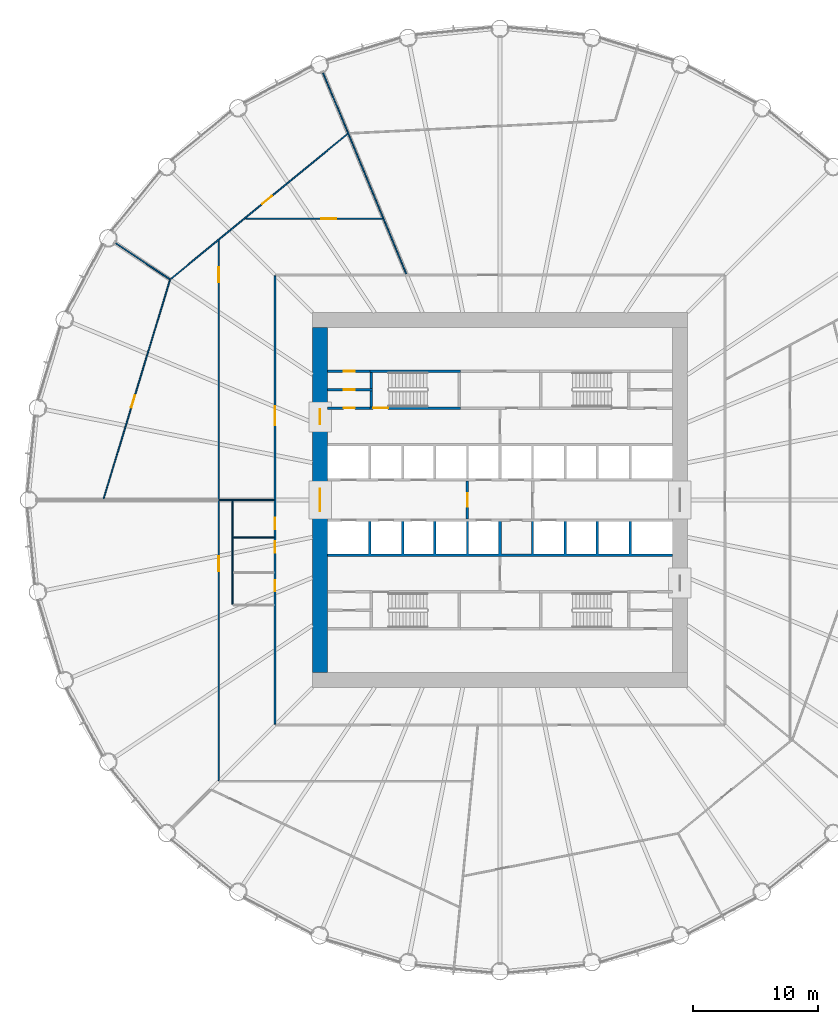
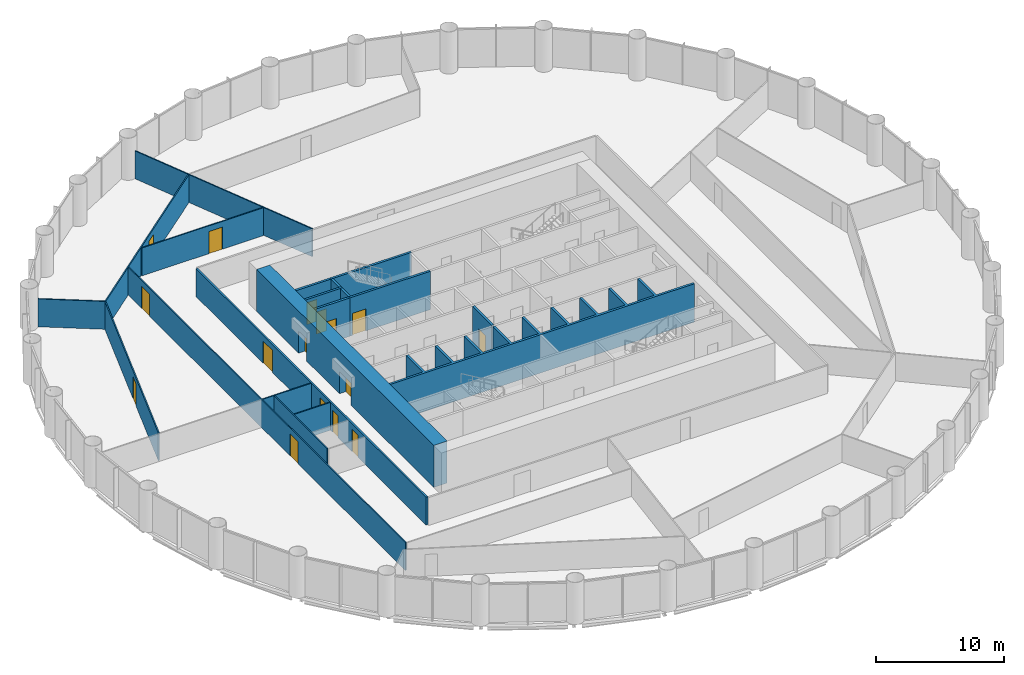
# One storey, part 11 of 14: 20 walls, 16 doors, 16 openings.
"""IFC4 building model written with IfcOpenShell, lengths in metres."""

from ifc_helpers import new_model, si_unit, direction, frame, frame_2d, origin, place, context, subcontext, project, spatial, polyline, rectangle, outline, extrude, material, layer, layer_set, type_object, element, fill, save


model = new_model("IFC4")

# Units and contexts
model_context = context("Model", 3, precision=1e-05, world=origin(), true_north=direction((0.0, 1.0)))
body_context = subcontext(model_context, "Body", "Model", "MODEL_VIEW")
ifc_project = project(units=[si_unit("LENGTHUNIT", "METRE"), si_unit("AREAUNIT", "SQUARE_METRE"), si_unit("VOLUMEUNIT", "CUBIC_METRE"), si_unit("PLANEANGLEUNIT", "RADIAN"), si_unit("MASSUNIT", "GRAM", prefix="KILO")], contexts=[model_context])

# Site, building, storey
site_placement = place(None, origin())
site = spatial("IfcSite", under=ifc_project, at=site_placement, CompositionType="ELEMENT")
building_placement = place(site_placement, origin())
building = spatial("IfcBuilding", under=site, at=building_placement, Name="Corvane Civic Tower", CompositionType="ELEMENT")
storey_placement = place(building_placement, frame((0.0, 0.0, 81.0)))
storey = spatial("IfcBuildingStorey", under=building, at=storey_placement, Name="L18", CompositionType="ELEMENT", Elevation=81.0)

# Wall, openings, doors
ifc_material_1 = material(Name="Concrete C80/95", Category="concrete")
ifc_layer_1 = layer(ifc_material_1, 1.199951171875)
ifc_layer_set_1 = layer_set([ifc_layer_1], Name="Concrete C80/95")
wall_type_1 = type_object("IfcWallType", Name="CORE WALL 1200 C80/95", PredefinedType="SHEAR", material=ifc_layer_set_1)
wall_1_placement = place(storey_placement, frame((-14.39990234375, -13.800048828125, 0.0), z_axis=(0.0, 0.0, 1.0), x_axis=(0.0, 1.0, 0.0)))
wall_1 = element("IfcWall", 1, at=wall_1_placement, inside=storey, type_object=wall_type_1, Name="W-L18-core-W", PredefinedType="SHEAR", context=body_context, shape_type="SweptSolid", body=[
    extrude(rectangle(XDim=27.60009765625, YDim=1.199951171875, at=frame_2d((13.800048828125, 0.0))), origin(), (0.0, 0.0, 1.0), 4.0),
])
opening_1_placement = place(wall_1_placement, frame((12.89990234375, 0.0, 0.0)))
opening_1 = element("IfcOpeningElement", 2, at=opening_1_placement, cuts=wall_1, Name="Opening L18.C24", PredefinedType="OPENING", context=body_context, shape_type="SweptSolid", body=[
    extrude(rectangle(XDim=1.800048828125, YDim=2.10009765625, at=frame_2d((0.89990234375, 1.050048828125))), frame((0.0, 0.60986328125, 0.0), z_axis=(0.0, -1.0, 0.0), x_axis=(1.0, 0.0, 0.0)), (0.0, 0.0, 1.0), 1.219970703125),
])
opening_2_placement = place(wall_1_placement, frame((19.85009765625, 0.0, 0.0)))
opening_2 = element("IfcOpeningElement", 3, at=opening_2_placement, cuts=wall_1, Name="Opening L18.C26", PredefinedType="OPENING", context=body_context, shape_type="SweptSolid", body=[
    extrude(rectangle(XDim=1.199951171875, YDim=2.10009765625, at=frame_2d((0.60009765625, 1.050048828125))), frame((0.0, 0.60986328125, 0.0), z_axis=(0.0, -1.0, 0.0), x_axis=(1.0, 0.0, 0.0)), (0.0, 0.0, 1.0), 1.219970703125),
])
ifc_material_2 = material(Name="Steel fire door leaf", Category="steel")
door_type_1 = type_object("IfcDoorType", Name="CR-DOOR-CORE-1800", OperationType="DOUBLE_DOOR_SINGLE_SWING", PredefinedType="DOOR", material=ifc_material_2)
door_1_placement = place(opening_1_placement, origin())
door_1 = element("IfcDoor", 4, at=door_1_placement, inside=storey, type_object=door_type_1, Name="L18 door", OperationType="DOUBLE_DOOR_SINGLE_SWING", OverallHeight=2.10009765625, OverallWidth=1.800048828125, PredefinedType="DOOR", context=body_context, shape_type="SweptSolid", body=[
    extrude(rectangle(XDim=1.800048828125, YDim=2.10009765625, at=frame_2d((0.89990234375, 1.050048828125))), frame((0.0, 0.02490234375, 0.0), z_axis=(0.0, -1.0, 0.0), x_axis=(1.0, 0.0, 0.0)), (0.0, 0.0, 1.0), 0.050048828125),
])
fill(opening_1, door_1)
door_2_placement = place(opening_2_placement, origin())
door_2 = element("IfcDoor", 5, at=door_2_placement, inside=storey, type_object=door_type_1, Name="L18 door", OperationType="DOUBLE_DOOR_SINGLE_SWING", OverallHeight=2.10009765625, OverallWidth=1.199951171875, PredefinedType="DOOR", context=body_context, shape_type="SweptSolid", body=[
    extrude(rectangle(XDim=1.199951171875, YDim=2.10009765625, at=frame_2d((0.60009765625, 1.050048828125))), frame((0.0, 0.02490234375, 0.0), z_axis=(0.0, -1.0, 0.0), x_axis=(1.0, 0.0, 0.0)), (0.0, 0.0, 1.0), 0.050048828125),
])
fill(opening_2, door_2)

# Wall, opening, door
ifc_material_3 = material(Name="Concrete C30/37", Category="concrete")
ifc_layer_2 = layer(ifc_material_3, 0.199951171875)
ifc_layer_set_2 = layer_set([ifc_layer_2], Name="Concrete C30/37")
wall_type_2 = type_object("IfcWallType", Name="CR-WALL-200", PredefinedType="PARTITIONING", material=ifc_layer_set_2)
wall_2_placement = place(storey_placement, frame((-13.800048828125, 7.35009765625, 0.0), z_axis=(0.0, 0.0, 1.0), x_axis=(1.0, 0.0, 0.0)))
wall_2 = element("IfcWall", 6, at=wall_2_placement, inside=storey, type_object=wall_type_2, Name="L18 core partition wall", PredefinedType="PARTITIONING", context=body_context, shape_type="SweptSolid", body=[
    extrude(rectangle(XDim=3.400146484375, YDim=0.199951171875, at=frame_2d((1.7001953125, 0.0))), origin(), (0.0, 0.0, 1.0), 3.64990234375),
])
opening_3_placement = place(wall_2_placement, frame((1.300048828125, 0.0, 0.0)))
opening_3 = element("IfcOpeningElement", 7, at=opening_3_placement, cuts=wall_2, Name="Opening L18.C06", PredefinedType="OPENING", context=body_context, shape_type="SweptSolid", body=[
    extrude(rectangle(XDim=0.89990234375, YDim=2.10009765625, at=frame_2d((0.449951171875, 1.050048828125))), frame((0.0, 0.10986328125, 0.0), z_axis=(0.0, -1.0, 0.0), x_axis=(1.0, 0.0, 0.0)), (0.0, 0.0, 1.0), 0.219970703125),
])
ifc_material_4 = material(Name="Steel fire door leaf", Category="steel")
door_type_2 = type_object("IfcDoorType", Name="CR-DOOR-900", OperationType="SINGLE_SWING_LEFT", PredefinedType="DOOR", material=ifc_material_4)
door_3_placement = place(opening_3_placement, origin())
door_3 = element("IfcDoor", 8, at=door_3_placement, inside=storey, type_object=door_type_2, Name="L18 door", OperationType="SINGLE_SWING_LEFT", OverallHeight=2.10009765625, OverallWidth=0.89990234375, PredefinedType="DOOR", context=body_context, shape_type="SweptSolid", body=[
    extrude(rectangle(XDim=0.89990234375, YDim=2.10009765625, at=frame_2d((0.449951171875, 1.050048828125))), frame((0.0, 0.02490234375, 0.0), z_axis=(0.0, -1.0, 0.0), x_axis=(1.0, 0.0, 0.0)), (0.0, 0.0, 1.0), 0.050048828125),
])
fill(opening_3, door_3)

wall_3_placement = place(storey_placement, frame((-13.800048828125, 8.824951171875, 0.0), z_axis=(0.0, 0.0, 1.0), x_axis=(1.0, 0.0, 0.0)))
wall_3 = element("IfcWall", 9, at=wall_3_placement, inside=storey, type_object=wall_type_2, Name="L18 partition wall", PredefinedType="PARTITIONING", context=body_context, shape_type="SweptSolid", body=[
    extrude(rectangle(XDim=3.60009765625, YDim=0.199951171875, at=frame_2d((1.800048828125, 0.0))), origin(), (0.0, 0.0, 1.0), 3.64990234375),
])
opening_4_placement = place(wall_3_placement, frame((1.300048828125, 0.0, 0.0)))
opening_4 = element("IfcOpeningElement", 10, at=opening_4_placement, cuts=wall_3, Name="Opening L18.C07", PredefinedType="OPENING", context=body_context, shape_type="SweptSolid", body=[
    extrude(rectangle(XDim=0.89990234375, YDim=2.10009765625, at=frame_2d((0.449951171875, 1.050048828125))), frame((0.0, 0.10986328125, 0.0), z_axis=(0.0, -1.0, 0.0), x_axis=(1.0, 0.0, 0.0)), (0.0, 0.0, 1.0), 0.219970703125),
])
door_4_placement = place(opening_4_placement, origin())
door_4 = element("IfcDoor", 11, at=door_4_placement, inside=storey, type_object=door_type_2, Name="L18 door", OperationType="SINGLE_SWING_LEFT", OverallHeight=2.10009765625, OverallWidth=0.89990234375, PredefinedType="DOOR", context=body_context, shape_type="SweptSolid", body=[
    extrude(rectangle(XDim=0.89990234375, YDim=2.10009765625, at=frame_2d((0.449951171875, 1.050048828125))), frame((0.0, 0.02490234375, 0.0), z_axis=(0.0, -1.0, 0.0), x_axis=(1.0, 0.0, 0.0)), (0.0, 0.0, 1.0), 0.050048828125),
])
fill(opening_4, door_4)

wall_4_placement = place(storey_placement, frame((-13.800048828125, 10.300048828125, 0.0), z_axis=(0.0, 0.0, 1.0), x_axis=(1.0, 0.0, 0.0)))
wall_4 = element("IfcWall", 12, at=wall_4_placement, inside=storey, type_object=wall_type_2, Name="L18 partition wall", PredefinedType="PARTITIONING", context=body_context, shape_type="SweptSolid", body=[
    extrude(rectangle(XDim=3.400146484375, YDim=0.199951171875, at=frame_2d((1.7001953125, 0.0))), origin(), (0.0, 0.0, 1.0), 3.64990234375),
])
opening_5_placement = place(wall_4_placement, frame((1.300048828125, 0.0, 0.0)))
opening_5 = element("IfcOpeningElement", 13, at=opening_5_placement, cuts=wall_4, Name="Opening L18.C08", PredefinedType="OPENING", context=body_context, shape_type="SweptSolid", body=[
    extrude(rectangle(XDim=0.89990234375, YDim=2.10009765625, at=frame_2d((0.449951171875, 1.050048828125))), frame((0.0, 0.10986328125, 0.0), z_axis=(0.0, -1.0, 0.0), x_axis=(1.0, 0.0, 0.0)), (0.0, 0.0, 1.0), 0.219970703125),
])
door_5_placement = place(opening_5_placement, origin())
door_5 = element("IfcDoor", 14, at=door_5_placement, inside=storey, type_object=door_type_2, Name="L18 door", OperationType="SINGLE_SWING_LEFT", OverallHeight=2.10009765625, OverallWidth=0.89990234375, PredefinedType="DOOR", context=body_context, shape_type="SweptSolid", body=[
    extrude(rectangle(XDim=0.89990234375, YDim=2.10009765625, at=frame_2d((0.449951171875, 1.050048828125))), frame((0.0, 0.02490234375, 0.0), z_axis=(0.0, -1.0, 0.0), x_axis=(1.0, 0.0, 0.0)), (0.0, 0.0, 1.0), 0.050048828125),
])
fill(opening_5, door_5)

wall_5_placement = place(storey_placement, frame((-2.60009765625, -1.5, 0.0), z_axis=(0.0, 0.0, 1.0), x_axis=(0.0, 1.0, 0.0)))
wall_5 = element("IfcWall", 15, at=wall_5_placement, inside=storey, type_object=wall_type_2, Name="L18 firefighting lobby wall", PredefinedType="PARTITIONING", context=body_context, shape_type="SweptSolid", body=[
    extrude(rectangle(XDim=3.0, YDim=0.199951171875, at=frame_2d((1.5, 0.0))), origin(), (0.0, 0.0, 1.0), 3.64990234375),
])
opening_6_placement = place(wall_5_placement, frame((0.949951171875, 0.0, 0.0)))
opening_6 = element("IfcOpeningElement", 16, at=opening_6_placement, cuts=wall_5, Name="Opening L18.C20", PredefinedType="OPENING", context=body_context, shape_type="SweptSolid", body=[
    extrude(rectangle(XDim=1.10009765625, YDim=2.10009765625, at=frame_2d((0.550048828125, 1.050048828125))), frame((0.0, 0.10986328125, 0.0), z_axis=(0.0, -1.0, 0.0), x_axis=(1.0, 0.0, 0.0)), (0.0, 0.0, 1.0), 0.219970703125),
])
ifc_material_5 = material(Name="Steel fire door leaf", Category="steel")
door_type_3 = type_object("IfcDoorType", Name="CR-DOOR-FFL-1100", OperationType="SINGLE_SWING_LEFT", PredefinedType="DOOR", material=ifc_material_5)
door_6_placement = place(opening_6_placement, origin())
door_6 = element("IfcDoor", 17, at=door_6_placement, inside=storey, type_object=door_type_3, Name="L18 lobby door", OperationType="SINGLE_SWING_LEFT", OverallHeight=2.10009765625, OverallWidth=1.10009765625, PredefinedType="DOOR", context=body_context, shape_type="SweptSolid", body=[
    extrude(rectangle(XDim=1.10009765625, YDim=2.10009765625, at=frame_2d((0.550048828125, 1.050048828125))), frame((0.0, 0.02490234375, 0.0), z_axis=(0.0, -1.0, 0.0), x_axis=(1.0, 0.0, 0.0)), (0.0, 0.0, 1.0), 0.050048828125),
])
fill(opening_6, door_6)

# Wall
wall_6_placement = place(storey_placement, origin())
element("IfcWall", 18, at=wall_6_placement, inside=storey, type_object=wall_type_2, Name="L18 core partition wall", PredefinedType="PARTITIONING", context=body_context, shape_type="SweptSolid", body=[
    extrude(outline(polyline([(-10.5, -1.699951171875), (-10.300048828125, -1.699951171875), (-10.300048828125, -4.300048828125), (-7.89990234375, -4.300048828125), (-7.89990234375, -1.699951171875), (-7.699951171875, -1.699951171875), (-7.699951171875, -4.300048828125), (-5.300048828125, -4.300048828125), (-5.300048828125, -1.699951171875), (-5.10009765625, -1.699951171875), (-5.10009765625, -4.300048828125), (-2.699951171875, -4.300048828125), (-2.699951171875, -1.699951171875), (-2.5, -1.699951171875), (-2.5, -4.300048828125), (-0.10009765625, -4.300048828125), (-0.10009765625, -1.699951171875), (0.10009765625, -1.699951171875), (0.10009765625, -4.300048828125), (2.5, -4.300048828125), (2.5, -1.699951171875), (2.699951171875, -1.699951171875), (2.699951171875, -4.300048828125), (5.10009765625, -4.300048828125), (5.10009765625, -1.699951171875), (5.300048828125, -1.699951171875), (5.300048828125, -4.300048828125), (7.699951171875, -4.300048828125), (7.699951171875, -1.699951171875), (7.89990234375, -1.699951171875), (7.89990234375, -4.300048828125), (10.300048828125, -4.300048828125), (10.300048828125, -1.699951171875), (10.5, -1.699951171875), (10.5, -4.300048828125), (13.800048828125, -4.300048828125), (13.800048828125, -4.5), (-13.800048828125, -4.5), (-13.800048828125, -4.300048828125), (-10.5, -4.300048828125), (-10.5, -1.699951171875)])), origin(), (0.0, 0.0, 1.0), 3.64990234375),
])

# Wall, openings, doors
ifc_material_6 = material(Name="Plasterboard")
ifc_layer_3 = layer(ifc_material_6, 0.10009765625)
ifc_layer_set_3 = layer_set([ifc_layer_3], Name="Plasterboard")
wall_type_3 = type_object("IfcWallType", Name="Partition 100 plasterboard on studs", PredefinedType="PARTITIONING", material=ifc_layer_set_3)
wall_7_placement = place(storey_placement, frame((-22.5, -22.449951171875, 0.0), z_axis=(0.0, 0.0, 1.0), x_axis=(0.0, 1.0, 0.0)))
wall_7 = element("IfcWall", 19, at=wall_7_placement, inside=storey, type_object=wall_type_3, Name="Partition L18.009", PredefinedType="PARTITIONING", context=body_context, shape_type="SweptSolid", body=[
    extrude(rectangle(XDim=43.174560546875, YDim=0.10009765625, at=frame_2d((21.58740234375, 0.0))), origin(), (0.0, 0.0, 1.0), 2.64990234375),
])
opening_7_placement = place(wall_7_placement, frame((16.747802734375, 0.0, 0.0)))
opening_7 = element("IfcOpeningElement", 20, at=opening_7_placement, cuts=wall_7, Name="Opening L18.011", PredefinedType="OPENING", context=body_context, shape_type="SweptSolid", body=[
    extrude(rectangle(XDim=1.199951171875, YDim=2.10009765625, at=frame_2d((0.60009765625, 1.050048828125))), frame((0.0, 0.06005859375, 0.0), z_axis=(0.0, -1.0, 0.0), x_axis=(1.0, 0.0, 0.0)), (0.0, 0.0, 1.0), 0.1201171875),
])
opening_8_placement = place(wall_7_placement, frame((39.877197265625, 0.0, 0.0)))
opening_8 = element("IfcOpeningElement", 21, at=opening_8_placement, cuts=wall_7, Name="Opening L18.018", PredefinedType="OPENING", context=body_context, shape_type="SweptSolid", body=[
    extrude(rectangle(XDim=1.199951171875, YDim=2.10009765625, at=frame_2d((0.60009765625, 1.050048828125))), frame((0.0, 0.06005859375, 0.0), z_axis=(0.0, -1.0, 0.0), x_axis=(1.0, 0.0, 0.0)), (0.0, 0.0, 1.0), 0.1201171875),
])
ifc_material_7 = material(Name="Timber", Category="wood")
door_type_4 = type_object("IfcDoorType", Name="Double door 1200", OperationType="NOTDEFINED", PredefinedType="DOOR", material=ifc_material_7)
door_7_placement = place(opening_7_placement, origin())
door_7 = element("IfcDoor", 22, at=door_7_placement, inside=storey, type_object=door_type_4, Name="Door L18.011", OperationType="DOUBLE_DOOR_SINGLE_SWING", OverallHeight=2.10009765625, OverallWidth=1.199951171875, PredefinedType="DOOR", context=body_context, shape_type="SweptSolid", body=[
    extrude(rectangle(XDim=1.199951171875, YDim=2.10009765625, at=frame_2d((0.60009765625, 1.050048828125))), frame((0.0, 0.02490234375, 0.0), z_axis=(0.0, -1.0, 0.0), x_axis=(1.0, 0.0, 0.0)), (0.0, 0.0, 1.0), 0.050048828125),
])
fill(opening_7, door_7)
door_8_placement = place(opening_8_placement, origin())
door_8 = element("IfcDoor", 23, at=door_8_placement, inside=storey, type_object=door_type_4, Name="Door L18.018", OperationType="DOUBLE_DOOR_SINGLE_SWING", OverallHeight=2.10009765625, OverallWidth=1.199951171875, PredefinedType="DOOR", context=body_context, shape_type="SweptSolid", body=[
    extrude(rectangle(XDim=1.199951171875, YDim=2.10009765625, at=frame_2d((0.60009765625, 1.050048828125))), frame((0.0, 0.02490234375, 0.0), z_axis=(0.0, -1.0, 0.0), x_axis=(1.0, 0.0, 0.0)), (0.0, 0.0, 1.0), 0.050048828125),
])
fill(opening_8, door_8)

# Walls
wall_8_placement = place(storey_placement, frame((-21.39990234375, -8.35009765625, 0.0), z_axis=(0.0, 0.0, 1.0), x_axis=(0.0, 1.0, 0.0)))
element("IfcWall", 24, at=wall_8_placement, inside=storey, type_object=wall_type_3, Name="Partition L18.017", PredefinedType="PARTITIONING", context=body_context, shape_type="SweptSolid", body=[
    extrude(rectangle(XDim=8.300048828125, YDim=0.10009765625, at=frame_2d((4.14990234375, 0.0))), origin(), (0.0, 0.0, 1.0), 2.64990234375),
])
wall_9_placement = place(storey_placement, frame((-21.35009765625, -3.0, 0.0), z_axis=(0.0, 0.0, 1.0), x_axis=(1.0, 0.0, 0.0)))
element("IfcWall", 25, at=wall_9_placement, inside=storey, type_object=wall_type_3, Name="Partition L18.019", PredefinedType="PARTITIONING", context=body_context, shape_type="SweptSolid", body=[
    extrude(rectangle(XDim=3.275146484375, YDim=0.10009765625, at=frame_2d((1.6376953125, 0.0))), origin(), (0.0, 0.0, 1.0), 2.64990234375),
])
wall_10_placement = place(storey_placement, frame((-22.449951171875, 0.0, 0.0), z_axis=(0.0, 0.0, 1.0), x_axis=(1.0, 0.0, 0.0)))
element("IfcWall", 26, at=wall_10_placement, inside=storey, type_object=wall_type_3, Name="Partition L18.021", PredefinedType="PARTITIONING", context=body_context, shape_type="SweptSolid", body=[
    extrude(rectangle(XDim=4.375, YDim=0.10009765625, at=frame_2d((2.1875, 0.0))), origin(), (0.0, 0.0, 1.0), 2.64990234375),
])

# Wall, opening, door
wall_11_placement = place(storey_placement, frame((-31.72314453125, 0.064453125, 0.0), z_axis=(0.0, 0.0, 1.0), x_axis=(0.290286195609, 0.956939875143, 0.0)))
wall_11 = element("IfcWall", 27, at=wall_11_placement, inside=storey, type_object=wall_type_3, Name="Partition L18.024", PredefinedType="PARTITIONING", context=body_context, shape_type="SweptSolid", body=[
    extrude(rectangle(XDim=18.324462890625, YDim=0.10009765625, at=frame_2d((9.162109375, 0.0))), origin(), (0.0, 0.0, 1.0), 2.64990234375),
])
opening_9_placement = place(wall_11_placement, frame((7.6708984375, 0.0, 0.0)))
opening_9 = element("IfcOpeningElement", 28, at=opening_9_placement, cuts=wall_11, Name="Opening L18.016", PredefinedType="OPENING", context=body_context, shape_type="SweptSolid", body=[
    extrude(rectangle(XDim=1.0, YDim=2.10009765625, at=frame_2d((0.5, 1.050048828125))), frame((0.0, 0.06005859375, 0.0), z_axis=(0.0, -1.0, 0.0), x_axis=(1.0, 0.0, 0.0)), (0.0, 0.0, 1.0), 0.1201171875),
])
ifc_material_8 = material(Name="Timber", Category="wood")
door_type_5 = type_object("IfcDoorType", Name="Single door 1000", OperationType="NOTDEFINED", PredefinedType="DOOR", material=ifc_material_8)
door_9_placement = place(opening_9_placement, origin())
door_9 = element("IfcDoor", 29, at=door_9_placement, inside=storey, type_object=door_type_5, Name="Door L18.016", OperationType="SINGLE_SWING_LEFT", OverallHeight=2.10009765625, OverallWidth=1.0, PredefinedType="DOOR", context=body_context, shape_type="SweptSolid", body=[
    extrude(rectangle(XDim=1.0, YDim=2.10009765625, at=frame_2d((0.5, 1.050048828125))), frame((0.0, 0.02490234375, 0.0), z_axis=(0.0, -1.0, 0.0), x_axis=(1.0, 0.0, 0.0)), (0.0, 0.0, 1.0), 0.050048828125),
])
fill(opening_9, door_9)

# Wall
wall_12_placement = place(storey_placement, frame((-30.756103515625, 20.550537109375, 0.0), z_axis=(0.0, 0.0, 1.0), x_axis=(0.831487576011, -0.555543347489, 0.0)))
element("IfcWall", 30, at=wall_12_placement, inside=storey, type_object=wall_type_3, Name="Partition L18.026", PredefinedType="PARTITIONING", context=body_context, shape_type="SweptSolid", body=[
    extrude(rectangle(XDim=5.210205078125, YDim=0.10009765625, at=frame_2d((2.60498046875, 0.0))), origin(), (0.0, 0.0, 1.0), 2.64990234375),
])

# Wall, opening, door
wall_13_placement = place(storey_placement, frame((-26.364501953125, 17.65869140625, 0.0), z_axis=(0.0, 0.0, 1.0), x_axis=(0.773009038475, 0.634395008205, 0.0)))
wall_13 = element("IfcWall", 31, at=wall_13_placement, inside=storey, type_object=wall_type_3, Name="Partition L18.027", PredefinedType="PARTITIONING", context=body_context, shape_type="SweptSolid", body=[
    extrude(rectangle(XDim=18.324462890625, YDim=0.10009765625, at=frame_2d((9.162109375, 0.0))), origin(), (0.0, 0.0, 1.0), 2.64990234375),
])
opening_10_placement = place(wall_13_placement, frame((9.49755859375, 0.0, 0.0)))
opening_10 = element("IfcOpeningElement", 32, at=opening_10_placement, cuts=wall_13, Name="Opening L18.017", PredefinedType="OPENING", context=body_context, shape_type="SweptSolid", body=[
    extrude(rectangle(XDim=1.0, YDim=2.10009765625, at=frame_2d((0.5, 1.050048828125))), frame((0.0, 0.06005859375, 0.0), z_axis=(0.0, -1.0, 0.0), x_axis=(1.0, 0.0, 0.0)), (0.0, 0.0, 1.0), 0.1201171875),
])
door_10_placement = place(opening_10_placement, origin())
door_10 = element("IfcDoor", 33, at=door_10_placement, inside=storey, type_object=door_type_5, Name="Door L18.017", OperationType="SINGLE_SWING_LEFT", OverallHeight=2.10009765625, OverallWidth=1.0, PredefinedType="DOOR", context=body_context, shape_type="SweptSolid", body=[
    extrude(rectangle(XDim=1.0, YDim=2.10009765625, at=frame_2d((0.5, 1.050048828125))), frame((0.0, 0.02490234375, 0.0), z_axis=(0.0, -1.0, 0.0), x_axis=(1.0, 0.0, 0.0)), (0.0, 0.0, 1.0), 0.050048828125),
])
fill(opening_10, door_10)

# Wall
wall_14_placement = place(storey_placement, frame((-14.155517578125, 34.17431640625, 0.0), z_axis=(0.0, 0.0, 1.0), x_axis=(0.38268132175, -0.923880406754, 0.0)))
element("IfcWall", 34, at=wall_14_placement, inside=storey, type_object=wall_type_3, Name="Partition L18.029", PredefinedType="PARTITIONING", context=body_context, shape_type="SweptSolid", body=[
    extrude(rectangle(XDim=17.4052734375, YDim=0.10009765625, at=frame_2d((8.70263671875, 0.0))), origin(), (0.0, 0.0, 1.0), 2.64990234375),
])

# Wall, opening, door
wall_15_placement = place(storey_placement, frame((-20.32568359375, 22.5, 0.0), z_axis=(0.0, 0.0, 1.0), x_axis=(1.0, 0.0, 0.0)))
wall_15 = element("IfcWall", 35, at=wall_15_placement, inside=storey, type_object=wall_type_3, Name="Partition L18.030", PredefinedType="PARTITIONING", context=body_context, shape_type="SweptSolid", body=[
    extrude(rectangle(XDim=10.93115234375, YDim=0.10009765625, at=frame_2d((5.465576171875, 0.0))), origin(), (0.0, 0.0, 1.0), 2.64990234375),
])
opening_11_placement = place(wall_15_placement, frame((6.038818359375, 0.0, 0.0)))
opening_11 = element("IfcOpeningElement", 36, at=opening_11_placement, cuts=wall_15, Name="Opening L18.019", PredefinedType="OPENING", context=body_context, shape_type="SweptSolid", body=[
    extrude(rectangle(XDim=1.199951171875, YDim=2.10009765625, at=frame_2d((0.60009765625, 1.050048828125))), frame((0.0, 0.06005859375, 0.0), z_axis=(0.0, -1.0, 0.0), x_axis=(1.0, 0.0, 0.0)), (0.0, 0.0, 1.0), 0.1201171875),
])
door_11_placement = place(opening_11_placement, origin())
door_11 = element("IfcDoor", 37, at=door_11_placement, inside=storey, type_object=door_type_4, Name="Door L18.019", OperationType="DOUBLE_DOOR_SINGLE_SWING", OverallHeight=2.10009765625, OverallWidth=1.199951171875, PredefinedType="DOOR", context=body_context, shape_type="SweptSolid", body=[
    extrude(rectangle(XDim=1.199951171875, YDim=2.10009765625, at=frame_2d((0.60009765625, 1.050048828125))), frame((0.0, 0.02490234375, 0.0), z_axis=(0.0, -1.0, 0.0), x_axis=(1.0, 0.0, 0.0)), (0.0, 0.0, 1.0), 0.050048828125),
])
fill(opening_11, door_11)

ifc_material_9 = material(Name="Concrete C50/60", Category="concrete")
ifc_layer_4 = layer(ifc_material_9, 0.199951171875)
ifc_layer_set_4 = layer_set([ifc_layer_4], Name="Concrete C50/60")
wall_type_4 = type_object("IfcWallType", Name="ST-WALL-200", PredefinedType="SHEAR", material=ifc_layer_set_4)
wall_16_placement = place(storey_placement, frame((-10.39990234375, 7.35009765625, 0.0), z_axis=(0.0, 0.0, 1.0), x_axis=(1.0, 0.0, 0.0)))
wall_16 = element("IfcWall", 38, at=wall_16_placement, inside=storey, type_object=wall_type_4, Name="L18 stair enclosure wall", PredefinedType="SHEAR", context=body_context, shape_type="SweptSolid", body=[
    extrude(rectangle(XDim=7.25, YDim=0.199951171875, at=frame_2d((3.625, 0.0))), origin(), (0.0, 0.0, 1.0), 3.64990234375),
])
opening_12_placement = place(wall_16_placement, frame((0.25, 0.0, 0.0)))
opening_12 = element("IfcOpeningElement", 39, at=opening_12_placement, cuts=wall_16, Name="Opening L18.C17", PredefinedType="OPENING", context=body_context, shape_type="SweptSolid", body=[
    extrude(rectangle(XDim=1.199951171875, YDim=2.10009765625, at=frame_2d((0.60009765625, 1.050048828125))), frame((0.0, 0.10986328125, 0.0), z_axis=(0.0, -1.0, 0.0), x_axis=(1.0, 0.0, 0.0)), (0.0, 0.0, 1.0), 0.219970703125),
])
ifc_material_10 = material(Name="Steel fire door leaf", Category="steel")
door_type_6 = type_object("IfcDoorType", Name="ST-DOOR-1200", OperationType="SINGLE_SWING_RIGHT", PredefinedType="DOOR", material=ifc_material_10)
door_12_placement = place(opening_12_placement, origin())
door_12 = element("IfcDoor", 40, at=door_12_placement, inside=storey, type_object=door_type_6, Name="L18 stair door", OperationType="SINGLE_SWING_RIGHT", OverallHeight=2.10009765625, OverallWidth=1.199951171875, PredefinedType="DOOR", context=body_context, shape_type="SweptSolid", body=[
    extrude(rectangle(XDim=1.199951171875, YDim=2.10009765625, at=frame_2d((0.60009765625, 1.050048828125))), frame((0.0, 0.02490234375, 0.0), z_axis=(0.0, -1.0, 0.0), x_axis=(1.0, 0.0, 0.0)), (0.0, 0.0, 1.0), 0.050048828125),
])
fill(opening_12, door_12)

# Walls
wall_17_placement = place(storey_placement, origin())
element("IfcWall", 41, at=wall_17_placement, inside=storey, type_object=wall_type_4, Name="L18 stair enclosure wall", PredefinedType="SHEAR", context=body_context, shape_type="SweptSolid", body=[
    extrude(outline(polyline([(-3.14990234375, 10.199951171875), (-10.39990234375, 10.199951171875), (-10.39990234375, 10.39990234375), (-3.14990234375, 10.39990234375), (-3.14990234375, 10.199951171875)])), origin(), (0.0, 0.0, 1.0), 3.64990234375),
])
wall_18_placement = place(storey_placement, origin())
element("IfcWall", 42, at=wall_18_placement, inside=storey, type_object=wall_type_4, Name="L18 stair enclosure wall", PredefinedType="SHEAR", context=body_context, shape_type="SweptSolid", body=[
    extrude(outline(polyline([(-10.199951171875, 8.72509765625), (-10.199951171875, 7.449951171875), (-10.39990234375, 7.449951171875), (-10.39990234375, 8.72509765625), (-10.199951171875, 8.72509765625)])), origin(), (0.0, 0.0, 1.0), 3.64990234375),
])
wall_19_placement = place(storey_placement, origin())
element("IfcWall", 43, at=wall_19_placement, inside=storey, type_object=wall_type_4, Name="L18 stair enclosure wall", PredefinedType="SHEAR", context=body_context, shape_type="SweptSolid", body=[
    extrude(outline(polyline([(-10.199951171875, 8.925048828125), (-10.39990234375, 8.925048828125), (-10.39990234375, 10.199951171875), (-10.199951171875, 10.199951171875), (-10.199951171875, 8.925048828125)])), origin(), (0.0, 0.0, 1.0), 3.64990234375),
])

# Wall, openings, doors
ifc_material_11 = material(Name="Plasterboard")
ifc_layer_5 = layer(ifc_material_11, 0.14990234375)
ifc_layer_set_5 = layer_set([ifc_layer_5], Name="Plasterboard")
wall_type_5 = type_object("IfcWallType", Name="Tenancy wall 150 EI 60", PredefinedType="PARTITIONING", material=ifc_layer_set_5)
wall_20_placement = place(storey_placement, frame((-18.0, -17.925048828125, 0.0), z_axis=(0.0, 0.0, 1.0), x_axis=(0.0, 1.0, 0.0)))
wall_20 = element("IfcWall", 44, at=wall_20_placement, inside=storey, type_object=wall_type_5, Name="Partition L18.014", PredefinedType="PARTITIONING", context=body_context, shape_type="SweptSolid", body=[
    extrude(rectangle(XDim=35.85009765625, YDim=0.14990234375, at=frame_2d((17.925048828125, 0.0))), origin(), (0.0, 0.0, 1.0), 2.64990234375),
])
opening_13_placement = place(wall_20_placement, frame((15.6025390625, 0.0, 0.0)))
opening_13 = element("IfcOpeningElement", 45, at=opening_13_placement, cuts=wall_20, Name="Opening L18.013", PredefinedType="OPENING", context=body_context, shape_type="SweptSolid", body=[
    extrude(rectangle(XDim=0.89990234375, YDim=2.10009765625, at=frame_2d((0.449951171875, 1.050048828125))), frame((0.0, 0.0849609375, 0.0), z_axis=(0.0, -1.0, 0.0), x_axis=(1.0, 0.0, 0.0)), (0.0, 0.0, 1.0), 0.169921875),
])
opening_14_placement = place(wall_20_placement, frame((13.7138671875, 0.0, 0.0)))
opening_14 = element("IfcOpeningElement", 46, at=opening_14_placement, cuts=wall_20, Name="Opening L18.014", PredefinedType="OPENING", context=body_context, shape_type="SweptSolid", body=[
    extrude(rectangle(XDim=0.89990234375, YDim=2.10009765625, at=frame_2d((0.449951171875, 1.050048828125))), frame((0.0, 0.0849609375, 0.0), z_axis=(0.0, -1.0, 0.0), x_axis=(1.0, 0.0, 0.0)), (0.0, 0.0, 1.0), 0.169921875),
])
opening_15_placement = place(wall_20_placement, frame((10.613525390625, 0.0, 0.0)))
opening_15 = element("IfcOpeningElement", 47, at=opening_15_placement, cuts=wall_20, Name="Opening L18.015", PredefinedType="OPENING", context=body_context, shape_type="SweptSolid", body=[
    extrude(rectangle(XDim=0.89990234375, YDim=2.10009765625, at=frame_2d((0.449951171875, 1.050048828125))), frame((0.0, 0.0849609375, 0.0), z_axis=(0.0, -1.0, 0.0), x_axis=(1.0, 0.0, 0.0)), (0.0, 0.0, 1.0), 0.169921875),
])
opening_16_placement = place(wall_20_placement, frame((23.910888671875, 0.0, 0.0)))
opening_16 = element("IfcOpeningElement", 48, at=opening_16_placement, cuts=wall_20, Name="Opening L18.020", PredefinedType="OPENING", context=body_context, shape_type="SweptSolid", body=[
    extrude(rectangle(XDim=1.5, YDim=2.10009765625, at=frame_2d((0.75, 1.050048828125))), frame((0.0, 0.0849609375, 0.0), z_axis=(0.0, -1.0, 0.0), x_axis=(1.0, 0.0, 0.0)), (0.0, 0.0, 1.0), 0.169921875),
])
ifc_material_12 = material(Name="Steel and timber", Category="steel")
door_type_7 = type_object("IfcDoorType", Name="Fire door FD30S 900", OperationType="NOTDEFINED", PredefinedType="DOOR", material=ifc_material_12)
door_13_placement = place(opening_13_placement, origin())
door_13 = element("IfcDoor", 49, at=door_13_placement, inside=storey, type_object=door_type_7, Name="Door L18.013", OperationType="SINGLE_SWING_LEFT", OverallHeight=2.10009765625, OverallWidth=0.89990234375, PredefinedType="DOOR", context=body_context, shape_type="SweptSolid", body=[
    extrude(rectangle(XDim=0.89990234375, YDim=2.10009765625, at=frame_2d((0.449951171875, 1.050048828125))), frame((0.0, 0.02490234375, 0.0), z_axis=(0.0, -1.0, 0.0), x_axis=(1.0, 0.0, 0.0)), (0.0, 0.0, 1.0), 0.050048828125),
])
fill(opening_13, door_13)
door_14_placement = place(opening_14_placement, origin())
door_14 = element("IfcDoor", 50, at=door_14_placement, inside=storey, type_object=door_type_7, Name="Door L18.014", OperationType="SINGLE_SWING_LEFT", OverallHeight=2.10009765625, OverallWidth=0.89990234375, PredefinedType="DOOR", context=body_context, shape_type="SweptSolid", body=[
    extrude(rectangle(XDim=0.89990234375, YDim=2.10009765625, at=frame_2d((0.449951171875, 1.050048828125))), frame((0.0, 0.02490234375, 0.0), z_axis=(0.0, -1.0, 0.0), x_axis=(1.0, 0.0, 0.0)), (0.0, 0.0, 1.0), 0.050048828125),
])
fill(opening_14, door_14)
door_15_placement = place(opening_15_placement, origin())
door_15 = element("IfcDoor", 51, at=door_15_placement, inside=storey, type_object=door_type_7, Name="Door L18.015", OperationType="SINGLE_SWING_RIGHT", OverallHeight=2.10009765625, OverallWidth=0.89990234375, PredefinedType="DOOR", context=body_context, shape_type="SweptSolid", body=[
    extrude(rectangle(XDim=0.89990234375, YDim=2.10009765625, at=frame_2d((0.449951171875, 1.050048828125))), frame((0.0, 0.02490234375, 0.0), z_axis=(0.0, -1.0, 0.0), x_axis=(1.0, 0.0, 0.0)), (0.0, 0.0, 1.0), 0.050048828125),
])
fill(opening_15, door_15)
ifc_material_13 = material(Name="Steel and timber", Category="steel")
door_type_8 = type_object("IfcDoorType", Name="Fire door FD60 double 1500", OperationType="NOTDEFINED", PredefinedType="DOOR", material=ifc_material_13)
door_16_placement = place(opening_16_placement, origin())
door_16 = element("IfcDoor", 52, at=door_16_placement, inside=storey, type_object=door_type_8, Name="Door L18.020", OperationType="DOUBLE_DOOR_SINGLE_SWING", OverallHeight=2.10009765625, OverallWidth=1.5, PredefinedType="DOOR", context=body_context, shape_type="SweptSolid", body=[
    extrude(rectangle(XDim=1.5, YDim=2.10009765625, at=frame_2d((0.75, 1.050048828125))), frame((0.0, 0.02490234375, 0.0), z_axis=(0.0, -1.0, 0.0), x_axis=(1.0, 0.0, 0.0)), (0.0, 0.0, 1.0), 0.050048828125),
])
fill(opening_16, door_16)

save(model, "model.ifc")
